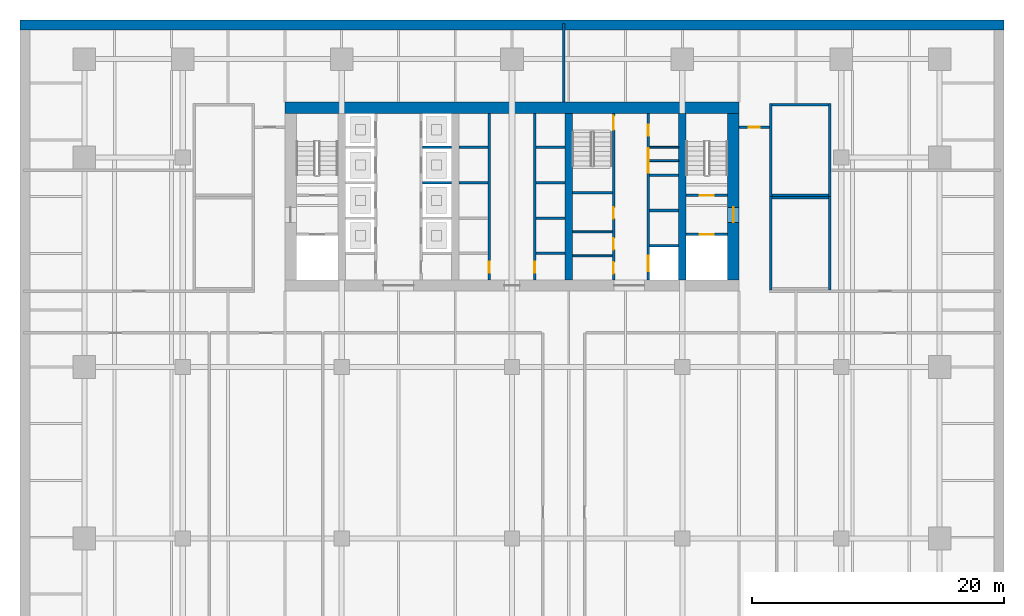
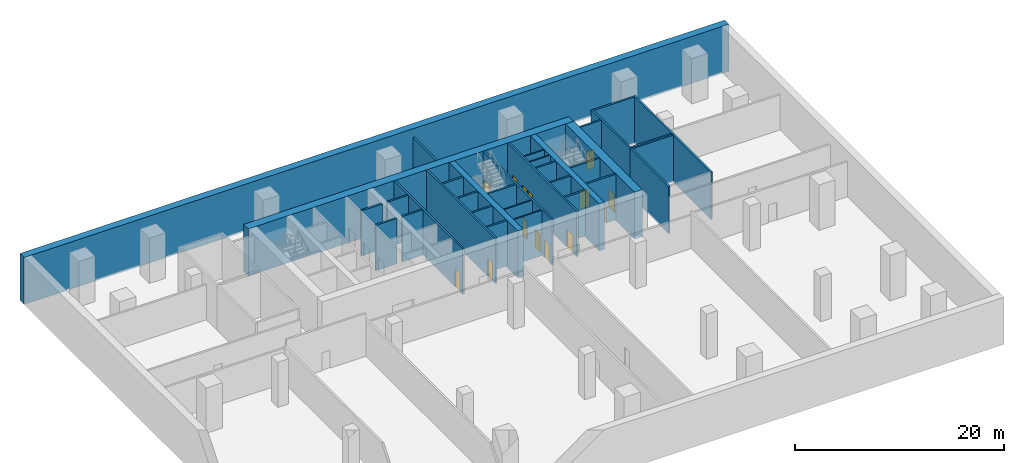
# One storey, part 7 of 11: 36 walls, 14 doors, 14 openings.
"""IFC4 building model written with IfcOpenShell, lengths in metres."""

from ifc_helpers import new_model, si_unit, direction, frame, frame_2d, origin, place, context, subcontext, project, spatial, rectangle, extrude, material, layer, layer_set, type_object, element, fill, save


model = new_model("IFC4")

# Units and contexts
model_context = context("Model", 3, precision=1e-05, world=origin(), true_north=direction((0.0, 1.0)))
body_context = subcontext(model_context, "Body", "Model", "MODEL_VIEW")
ifc_project = project(units=[si_unit("LENGTHUNIT", "METRE"), si_unit("AREAUNIT", "SQUARE_METRE"), si_unit("VOLUMEUNIT", "CUBIC_METRE"), si_unit("PLANEANGLEUNIT", "RADIAN"), si_unit("MASSUNIT", "GRAM", prefix="KILO")], contexts=[model_context])

# Site, building, storey
site_placement = place(None, origin())
site = spatial("IfcSite", under=ifc_project, at=site_placement, CompositionType="ELEMENT")
building_placement = place(site_placement, origin())
building = spatial("IfcBuilding", under=site, at=building_placement, Name="Rattan Terrace Tower", CompositionType="ELEMENT")
storey_placement = place(building_placement, frame((0.0, 0.0, -5.5)))
storey = spatial("IfcBuildingStorey", under=building, at=storey_placement, Name="B1", CompositionType="ELEMENT", Elevation=-5.5)

# Walls
ifc_material_1 = material(Name="Gypsum board partition")
ifc_layer_1 = layer(ifc_material_1, 0.14990234375)
ifc_layer_set_1 = layer_set([ifc_layer_1], Name="Core partition 150")
wall_type_1 = type_object("IfcWallType", Name="Core partition 150", PredefinedType="PARTITIONING", material=ifc_layer_set_1)
for number, where, z_axis, x_axis, name in (
    (1, (4.800048828125, -4.696044921875, 0.0), (0.0, 0.0, 1.0), (1.0, 0.0, 0.0), "Toilet wall"),
    (2, (4.800048828125, -2.7919921875, 0.0), (0.0, 0.0, 1.0), (1.0, 0.0, 0.0), "Toilet wall"),
):
    element("IfcWall", number, at=place(storey_placement, frame(where, z_axis=z_axis, x_axis=x_axis)), inside=storey, type_object=wall_type_1, Name=name, PredefinedType="PARTITIONING", context=body_context, shape_type="SweptSolid", body=[
        extrude(rectangle(XDim=3.14990234375, YDim=0.14990234375, at=frame_2d((1.574951171875, 0.0))), origin(), (0.0, 0.0, 1.0), 5.300048828125),
    ])
for number, where, z_axis, x_axis, name in (
    (3, (10.89990234375, 2.85595703125, 0.0), (0.0, 0.0, 1.0), (1.0, 0.0, 0.0), "Riser room wall"),
    (4, (10.89990234375, 3.912109375, 0.0), (0.0, 0.0, 1.0), (1.0, 0.0, 0.0), "Riser room wall"),
):
    element("IfcWall", number, at=place(storey_placement, frame(where, z_axis=z_axis, x_axis=x_axis)), inside=storey, type_object=wall_type_1, Name=name, PredefinedType="PARTITIONING", context=body_context, shape_type="SweptSolid", body=[
        extrude(rectangle(XDim=2.300048828125, YDim=0.14990234375, at=frame_2d((1.14990234375, 0.0))), origin(), (0.0, 0.0, 1.0), 5.300048828125),
    ])

# Wall, opening, door
ifc_material_2 = material(Name="Gypsum board partition")
ifc_layer_2 = layer(ifc_material_2, 0.199951171875)
ifc_layer_set_2 = layer_set([ifc_layer_2], Name="Core partition 200")
wall_type_2 = type_object("IfcWallType", Name="Core partition 200", PredefinedType="PARTITIONING", material=ifc_layer_set_2)
wall_1_placement = place(storey_placement, frame((13.800048828125, -3.0, 0.0), z_axis=(0.0, 0.0, 1.0), x_axis=(1.0, 0.0, 0.0)))
wall_1 = element("IfcWall", 5, at=wall_1_placement, inside=storey, type_object=wall_type_2, Name="Fire-fighting lobby wall", PredefinedType="PARTITIONING", context=body_context, shape_type="SweptSolid", body=[
    extrude(rectangle(XDim=3.300048828125, YDim=0.199951171875, at=frame_2d((1.64990234375, 0.0))), origin(), (0.0, 0.0, 1.0), 5.300048828125),
])
opening_1_placement = place(wall_1_placement, frame((1.10009765625, 0.0, 0.0)))
opening_1 = element("IfcOpeningElement", 6, at=opening_1_placement, cuts=wall_1, Name="Opening B1-LD-FF2", PredefinedType="OPENING", context=body_context, shape_type="SweptSolid", body=[
    extrude(rectangle(XDim=1.10009765625, YDim=2.10009765625, at=frame_2d((0.550048828125, 1.050048828125))), frame((0.0, 0.110595703125, 0.0), z_axis=(0.0, -1.0, 0.0), x_axis=(1.0, 0.0, 0.0)), (0.0, 0.0, 1.0), 0.220947265625),
])
ifc_material_3 = material(Name="Brushed stainless landing door panel")
door_type_1 = type_object("IfcDoorType", Name="Core lift landing door 1100", OperationType="DOUBLE_DOOR_SLIDING", PredefinedType="DOOR", material=ifc_material_3)
door_1_placement = place(opening_1_placement, origin())
door_1 = element("IfcDoor", 7, at=door_1_placement, inside=storey, type_object=door_type_1, Name="Door B1-LD-FF2", OperationType="DOUBLE_DOOR_SLIDING", OverallHeight=2.10009765625, OverallWidth=1.10009765625, PredefinedType="DOOR", context=body_context, shape_type="SweptSolid", body=[
    extrude(rectangle(XDim=1.10009765625, YDim=2.10009765625, at=frame_2d((0.550048828125, 1.050048828125))), frame((0.0, 0.02490234375, 0.0), z_axis=(0.0, -1.0, 0.0), x_axis=(1.0, 0.0, 0.0)), (0.0, 0.0, 1.0), 0.050048828125),
])
fill(opening_1, door_1)

wall_2_placement = place(storey_placement, frame((13.800048828125, 0.10009765625, 0.0), z_axis=(0.0, 0.0, 1.0), x_axis=(1.0, 0.0, 0.0)))
wall_2 = element("IfcWall", 8, at=wall_2_placement, inside=storey, type_object=wall_type_2, Name="Stair enclosure wall", PredefinedType="PARTITIONING", context=body_context, shape_type="SweptSolid", body=[
    extrude(rectangle(XDim=3.300048828125, YDim=0.199951171875, at=frame_2d((1.64990234375, 0.0))), origin(), (0.0, 0.0, 1.0), 5.300048828125),
])
opening_2_placement = place(wall_2_placement, frame((1.10009765625, 0.0, 0.0)))
opening_2 = element("IfcOpeningElement", 9, at=opening_2_placement, cuts=wall_2, Name="Opening B1-D004", PredefinedType="OPENING", context=body_context, shape_type="SweptSolid", body=[
    extrude(rectangle(XDim=1.10009765625, YDim=2.10009765625, at=frame_2d((0.550048828125, 1.050048828125))), frame((0.0, 0.110595703125, 0.0), z_axis=(0.0, -1.0, 0.0), x_axis=(1.0, 0.0, 0.0)), (0.0, 0.0, 1.0), 0.220947265625),
])
ifc_material_4 = material(Name="Hollow-metal fire door leaf")
door_type_2 = type_object("IfcDoorType", Name="Core stair door 1100", OperationType="NOTDEFINED", PredefinedType="DOOR", material=ifc_material_4)
door_2_placement = place(opening_2_placement, origin())
door_2 = element("IfcDoor", 10, at=door_2_placement, inside=storey, type_object=door_type_2, Name="Door B1-D004", OperationType="SINGLE_SWING_LEFT", OverallHeight=2.10009765625, OverallWidth=1.10009765625, PredefinedType="DOOR", context=body_context, shape_type="SweptSolid", body=[
    extrude(rectangle(XDim=1.10009765625, YDim=2.10009765625, at=frame_2d((0.550048828125, 1.050048828125))), frame((0.0, 0.02490234375, 0.0), z_axis=(0.0, -1.0, 0.0), x_axis=(1.0, 0.0, 0.0)), (0.0, 0.0, 1.0), 0.050048828125),
])
fill(opening_2, door_2)

# Wall, openings, doors
wall_3_placement = place(storey_placement, frame((8.050048828125, -6.60009765625, 0.0), z_axis=(0.0, 0.0, 1.0), x_axis=(0.0, 1.0, 0.0)))
wall_3 = element("IfcWall", 11, at=wall_3_placement, inside=storey, type_object=wall_type_2, Name="Lobby wall west", PredefinedType="PARTITIONING", context=body_context, shape_type="SweptSolid", body=[
    extrude(rectangle(XDim=13.2001953125, YDim=0.199951171875, at=frame_2d((6.60009765625, 0.0))), origin(), (0.0, 0.0, 1.0), 5.300048828125),
])
opening_3_placement = place(wall_3_placement, frame((0.501953125, 0.0, 0.0)))
opening_3 = element("IfcOpeningElement", 12, at=opening_3_placement, cuts=wall_3, Name="Opening B1-D011", PredefinedType="OPENING", context=body_context, shape_type="SweptSolid", body=[
    extrude(rectangle(XDim=0.89990234375, YDim=2.10009765625, at=frame_2d((0.449951171875, 1.050048828125))), frame((0.0, 0.110595703125, 0.0), z_axis=(0.0, -1.0, 0.0), x_axis=(1.0, 0.0, 0.0)), (0.0, 0.0, 1.0), 0.220947265625),
])
opening_4_placement = place(wall_3_placement, frame((2.406005859375, 0.0, 0.0)))
opening_4 = element("IfcOpeningElement", 13, at=opening_4_placement, cuts=wall_3, Name="Opening B1-D012", PredefinedType="OPENING", context=body_context, shape_type="SweptSolid", body=[
    extrude(rectangle(XDim=0.89990234375, YDim=2.10009765625, at=frame_2d((0.449951171875, 1.050048828125))), frame((0.0, 0.110595703125, 0.0), z_axis=(0.0, -1.0, 0.0), x_axis=(1.0, 0.0, 0.0)), (0.0, 0.0, 1.0), 0.220947265625),
])
opening_5_placement = place(wall_3_placement, frame((4.85400390625, 0.0, 0.0)))
opening_5 = element("IfcOpeningElement", 14, at=opening_5_placement, cuts=wall_3, Name="Opening B1-D013", PredefinedType="OPENING", context=body_context, shape_type="SweptSolid", body=[
    extrude(rectangle(XDim=0.89990234375, YDim=2.10009765625, at=frame_2d((0.449951171875, 1.050048828125))), frame((0.0, 0.110595703125, 0.0), z_axis=(0.0, -1.0, 0.0), x_axis=(1.0, 0.0, 0.0)), (0.0, 0.0, 1.0), 0.220947265625),
])
opening_6_placement = place(wall_3_placement, frame((11.89990234375, 0.0, 0.0)))
opening_6 = element("IfcOpeningElement", 15, at=opening_6_placement, cuts=wall_3, Name="Opening B1-D014", PredefinedType="OPENING", context=body_context, shape_type="SweptSolid", body=[
    extrude(rectangle(XDim=1.10009765625, YDim=2.10009765625, at=frame_2d((0.550048828125, 1.050048828125))), frame((0.0, 0.110595703125, 0.0), z_axis=(0.0, -1.0, 0.0), x_axis=(1.0, 0.0, 0.0)), (0.0, 0.0, 1.0), 0.220947265625),
])
door_3_placement = place(opening_6_placement, origin())
door_3 = element("IfcDoor", 16, at=door_3_placement, inside=storey, type_object=door_type_2, Name="Door B1-D014", OperationType="SINGLE_SWING_RIGHT", OverallHeight=2.10009765625, OverallWidth=1.10009765625, PredefinedType="DOOR", context=body_context, shape_type="SweptSolid", body=[
    extrude(rectangle(XDim=1.10009765625, YDim=2.10009765625, at=frame_2d((0.550048828125, 1.050048828125))), frame((0.0, 0.02490234375, 0.0), z_axis=(0.0, -1.0, 0.0), x_axis=(1.0, 0.0, 0.0)), (0.0, 0.0, 1.0), 0.050048828125),
])
fill(opening_6, door_3)
ifc_material_5 = material(Name="Hollow-metal fire door leaf")
door_type_3 = type_object("IfcDoorType", Name="Core toilet door 900", OperationType="NOTDEFINED", PredefinedType="DOOR", material=ifc_material_5)
door_4_placement = place(opening_3_placement, origin())
door_4 = element("IfcDoor", 17, at=door_4_placement, inside=storey, type_object=door_type_3, Name="Door B1-D011", OperationType="SINGLE_SWING_LEFT", OverallHeight=2.10009765625, OverallWidth=0.89990234375, PredefinedType="DOOR", context=body_context, shape_type="SweptSolid", body=[
    extrude(rectangle(XDim=0.89990234375, YDim=2.10009765625, at=frame_2d((0.449951171875, 1.050048828125))), frame((0.0, 0.02490234375, 0.0), z_axis=(0.0, -1.0, 0.0), x_axis=(1.0, 0.0, 0.0)), (0.0, 0.0, 1.0), 0.050048828125),
])
fill(opening_3, door_4)
door_5_placement = place(opening_4_placement, origin())
door_5 = element("IfcDoor", 18, at=door_5_placement, inside=storey, type_object=door_type_3, Name="Door B1-D012", OperationType="SINGLE_SWING_RIGHT", OverallHeight=2.10009765625, OverallWidth=0.89990234375, PredefinedType="DOOR", context=body_context, shape_type="SweptSolid", body=[
    extrude(rectangle(XDim=0.89990234375, YDim=2.10009765625, at=frame_2d((0.449951171875, 1.050048828125))), frame((0.0, 0.02490234375, 0.0), z_axis=(0.0, -1.0, 0.0), x_axis=(1.0, 0.0, 0.0)), (0.0, 0.0, 1.0), 0.050048828125),
])
fill(opening_4, door_5)
door_6_placement = place(opening_5_placement, origin())
door_6 = element("IfcDoor", 19, at=door_6_placement, inside=storey, type_object=door_type_3, Name="Door B1-D013", OperationType="SINGLE_SWING_LEFT", OverallHeight=2.10009765625, OverallWidth=0.89990234375, PredefinedType="DOOR", context=body_context, shape_type="SweptSolid", body=[
    extrude(rectangle(XDim=0.89990234375, YDim=2.10009765625, at=frame_2d((0.449951171875, 1.050048828125))), frame((0.0, 0.02490234375, 0.0), z_axis=(0.0, -1.0, 0.0), x_axis=(1.0, 0.0, 0.0)), (0.0, 0.0, 1.0), 0.050048828125),
])
fill(opening_5, door_6)

# Walls
wall_4_placement = place(storey_placement, frame((4.800048828125, 0.300048828125, 0.0), z_axis=(0.0, 0.0, 1.0), x_axis=(1.0, 0.0, 0.0)))
element("IfcWall", 20, at=wall_4_placement, inside=storey, type_object=wall_type_2, Name="Stair enclosure wall", PredefinedType="PARTITIONING", context=body_context, shape_type="SweptSolid", body=[
    extrude(rectangle(XDim=3.14990234375, YDim=0.199951171875, at=frame_2d((1.574951171875, 0.0))), origin(), (0.0, 0.0, 1.0), 5.300048828125),
])
ifc_material_6 = material(Name="Concrete C70/85", Category="concrete")
ifc_layer_3 = layer(ifc_material_6, 0.89990234375)
ifc_layer_set_3 = layer_set([ifc_layer_3], Name="Core ring wall 900 C70/85")
wall_type_3 = type_object("IfcWallType", Name="Core ring wall 900 C70/85", PredefinedType="SHEAR", material=ifc_layer_set_3)
wall_5_placement = place(storey_placement, frame((-18.0, 7.050048828125, -0.199951171875), z_axis=(0.0, 0.0, 1.0), x_axis=(1.0, 0.0, 0.0)))
element("IfcWall", 21, at=wall_5_placement, inside=storey, type_object=wall_type_3, Name="Rear core wall north", PredefinedType="SHEAR", context=body_context, shape_type="SweptSolid", body=[
    extrude(rectangle(XDim=36.0, YDim=0.89990234375, at=frame_2d((18.0, 0.0))), origin(), (0.0, 0.0, 1.0), 5.5),
])

# Wall, opening, door
wall_6_placement = place(storey_placement, frame((17.550048828125, -6.60009765625, -0.199951171875), z_axis=(0.0, 0.0, 1.0), x_axis=(0.0, 1.0, 0.0)))
wall_6 = element("IfcWall", 22, at=wall_6_placement, inside=storey, type_object=wall_type_3, Name="Rear core wall east", PredefinedType="SHEAR", context=body_context, shape_type="SweptSolid", body=[
    extrude(rectangle(XDim=13.2001953125, YDim=0.89990234375, at=frame_2d((6.60009765625, 0.0))), origin(), (0.0, 0.0, 1.0), 5.5),
])
opening_7_placement = place(wall_6_placement, frame((4.550048828125, 0.0, 0.199951171875)))
opening_7 = element("IfcOpeningElement", 23, at=opening_7_placement, cuts=wall_6, Name="Opening B1-D003", PredefinedType="OPENING", context=body_context, shape_type="SweptSolid", body=[
    extrude(rectangle(XDim=1.199951171875, YDim=2.10009765625, at=frame_2d((0.60009765625, 1.050048828125))), frame((0.0, 0.46044921875, 0.0), z_axis=(0.0, -1.0, 0.0), x_axis=(1.0, 0.0, 0.0)), (0.0, 0.0, 1.0), 0.9208984375),
])
ifc_material_7 = material(Name="Hollow-metal fire door leaf")
door_type_4 = type_object("IfcDoorType", Name="Core fire-fighting lobby door 1200", OperationType="NOTDEFINED", PredefinedType="DOOR", material=ifc_material_7)
door_7_placement = place(opening_7_placement, origin())
door_7 = element("IfcDoor", 24, at=door_7_placement, inside=storey, type_object=door_type_4, Name="Door B1-D003", OperationType="SINGLE_SWING_RIGHT", OverallHeight=2.10009765625, OverallWidth=1.199951171875, PredefinedType="DOOR", context=body_context, shape_type="SweptSolid", body=[
    extrude(rectangle(XDim=1.199951171875, YDim=2.10009765625, at=frame_2d((0.60009765625, 1.050048828125))), frame((0.0, 0.02490234375, 0.0), z_axis=(0.0, -1.0, 0.0), x_axis=(1.0, 0.0, 0.0)), (0.0, 0.0, 1.0), 0.050048828125),
])
fill(opening_7, door_7)

# Walls
ifc_material_8 = material(Name="Concrete C70/85", Category="concrete")
ifc_layer_4 = layer(ifc_material_8, 0.60009765625)
ifc_layer_set_4 = layer_set([ifc_layer_4], Name="Core spine wall 600 C70/85")
wall_type_4 = type_object("IfcWallType", Name="Core spine wall 600 C70/85", PredefinedType="SHEAR", material=ifc_layer_set_4)
for number, where, z_axis, x_axis, name in (
    (25, (4.5, -6.60009765625, -0.199951171875), (0.0, 0.0, 1.0), (0.0, 1.0, 0.0), "Core spine wall 3"),
    (26, (13.5, -6.60009765625, -0.199951171875), (0.0, 0.0, 1.0), (0.0, 1.0, 0.0), "Core spine wall 4"),
):
    element("IfcWall", number, at=place(storey_placement, frame(where, z_axis=z_axis, x_axis=x_axis)), inside=storey, type_object=wall_type_4, Name=name, PredefinedType="SHEAR", context=body_context, shape_type="SweptSolid", body=[
        extrude(rectangle(XDim=13.2001953125, YDim=0.60009765625, at=frame_2d((6.60009765625, 0.0))), origin(), (0.0, 0.0, 1.0), 5.5),
    ])

# Wall, opening, door
ifc_material_9 = material(Name="Concrete block wall, plastered", Category="concrete")
ifc_layer_5 = layer(ifc_material_9, 0.199951171875)
ifc_layer_set_5 = layer_set([ifc_layer_5], Name="Floors Plant Wall 200")
wall_type_5 = type_object("IfcWallType", Name="Floors Plant Wall 200", PredefinedType="PARTITIONING", material=ifc_layer_set_5)
wall_7_placement = place(storey_placement, frame((18.0, 5.5, 0.0), z_axis=(0.0, 0.0, 1.0), x_axis=(1.0, 0.0, 0.0)))
wall_7 = element("IfcWall", 27, at=wall_7_placement, inside=storey, type_object=wall_type_5, Name="pt-B1-011", PredefinedType="PARTITIONING", context=body_context, shape_type="SweptSolid", body=[
    extrude(rectangle(XDim=2.39990234375, YDim=0.199951171875, at=frame_2d((1.199951171875, 0.0))), origin(), (0.0, 0.0, 1.0), 5.300048828125),
])
opening_8_placement = place(wall_7_placement, frame((0.75, 0.0, 0.0)))
opening_8 = element("IfcOpeningElement", 28, at=opening_8_placement, cuts=wall_7, Name="Opening B1-D108", PredefinedType="OPENING", context=body_context, shape_type="SweptSolid", body=[
    extrude(rectangle(XDim=0.89990234375, YDim=2.10009765625, at=frame_2d((0.449951171875, 1.050048828125))), frame((0.0, 0.110595703125, 0.0), z_axis=(0.0, -1.0, 0.0), x_axis=(1.0, 0.0, 0.0)), (0.0, 0.0, 1.0), 0.220947265625),
])
ifc_material_10 = material(Name="Steel fire door set", Category="steel")
door_type_5 = type_object("IfcDoorType", Name="Floors Fire Door FD60 900x2100", OperationType="NOTDEFINED", PredefinedType="DOOR", material=ifc_material_10)
door_8_placement = place(opening_8_placement, origin())
door_8 = element("IfcDoor", 29, at=door_8_placement, inside=storey, type_object=door_type_5, Name="d-B1-108", OperationType="SINGLE_SWING_LEFT", OverallHeight=2.10009765625, OverallWidth=0.89990234375, PredefinedType="DOOR", context=body_context, shape_type="SweptSolid", body=[
    extrude(rectangle(XDim=0.89990234375, YDim=2.10009765625, at=frame_2d((0.449951171875, 1.050048828125))), frame((0.0, 0.02490234375, 0.0), z_axis=(0.0, -1.0, 0.0), x_axis=(1.0, 0.0, 0.0)), (0.0, 0.0, 1.0), 0.050048828125),
])
fill(opening_8, door_8)

# Walls
wall_8_placement = place(storey_placement, frame((4.10009765625, 13.739990234375, 0.0), z_axis=(0.0, 0.0, 1.0), x_axis=(0.0, -1.0, 0.0)))
element("IfcWall", 30, at=wall_8_placement, inside=storey, type_object=wall_type_5, Name="pt-B1-016", PredefinedType="PARTITIONING", context=body_context, shape_type="SweptSolid", body=[
    extrude(rectangle(XDim=6.239990234375, YDim=0.199951171875, at=frame_2d((3.1201171875, 0.0))), origin(), (0.0, 0.0, 1.0), 4.300048828125),
])
ifc_material_11 = material(Name="Concrete C40/50", Category="concrete")
ifc_layer_6 = layer(ifc_material_11, 0.800048828125)
ifc_layer_set_6 = layer_set([ifc_layer_6], Name="Frame basement wall 800")
wall_type_6 = type_object("IfcWallType", Name="Frame basement wall 800", PredefinedType="SOLIDWALL", material=ifc_layer_set_6)
wall_9_placement = place(storey_placement, frame((-39.0, 13.60009765625, -0.199951171875), z_axis=(0.0, 0.0, 1.0), x_axis=(1.0, 0.0, 0.0)))
element("IfcWall", 31, at=wall_9_placement, inside=storey, type_object=wall_type_6, Name="Basement wall", PredefinedType="SOLIDWALL", context=body_context, shape_type="SweptSolid", body=[
    extrude(rectangle(XDim=78.0, YDim=0.800048828125, at=frame_2d((39.0, 0.0))), origin(), (0.0, 0.0, 1.0), 5.5),
])
ifc_material_12 = material(Name="Gypsum shaft wall system")
ifc_layer_7 = layer(ifc_material_12, 0.199951171875)
ifc_layer_set_7 = layer_set([ifc_layer_7], Name="Lift shaft wall 200")
wall_type_7 = type_object("IfcWallType", Name="Lift shaft wall 200", PredefinedType="PARTITIONING", material=ifc_layer_set_7)
for number, where, z_axis, x_axis, name in (
    (32, (-7.10009765625, 1.10009765625, 0.0), (0.0, 0.0, 1.0), (1.0, 0.0, 0.0), "Lift shaft wall"),
    (33, (-7.10009765625, 3.89990234375, 0.0), (0.0, 0.0, 1.0), (1.0, 0.0, 0.0), "Lift shaft wall"),
):
    element("IfcWall", number, at=place(storey_placement, frame(where, z_axis=z_axis, x_axis=x_axis)), inside=storey, type_object=wall_type_7, Name=name, PredefinedType="PARTITIONING", context=body_context, shape_type="SweptSolid", body=[
        extrude(rectangle(XDim=2.300048828125, YDim=0.199951171875, at=frame_2d((1.14990234375, 0.0))), origin(), (0.0, 0.0, 1.0), 5.300048828125),
    ])

# Wall, opening, door
wall_10_placement = place(storey_placement, frame((-1.800048828125, -6.60009765625, 0.0), z_axis=(0.0, 0.0, 1.0), x_axis=(0.0, 1.0, 0.0)))
wall_10 = element("IfcWall", 34, at=wall_10_placement, inside=storey, type_object=wall_type_7, Name="Lift shaft front wall", PredefinedType="PARTITIONING", context=body_context, shape_type="SweptSolid", body=[
    extrude(rectangle(XDim=13.2001953125, YDim=0.199951171875, at=frame_2d((6.60009765625, 0.0))), origin(), (0.0, 0.0, 1.0), 5.300048828125),
])
opening_9_placement = place(wall_10_placement, frame((0.550048828125, 0.0, 0.0)))
opening_9 = element("IfcOpeningElement", 35, at=opening_9_placement, cuts=wall_10, Name="Opening B1-D008", PredefinedType="OPENING", context=body_context, shape_type="SweptSolid", body=[
    extrude(rectangle(XDim=0.89990234375, YDim=2.10009765625, at=frame_2d((0.449951171875, 1.050048828125))), frame((0.0, 0.110595703125, 0.0), z_axis=(0.0, -1.0, 0.0), x_axis=(1.0, 0.0, 0.0)), (0.0, 0.0, 1.0), 0.220947265625),
])
ifc_material_13 = material(Name="Hollow-metal fire door leaf")
door_type_6 = type_object("IfcDoorType", Name="Core riser door 900", OperationType="NOTDEFINED", PredefinedType="DOOR", material=ifc_material_13)
door_9_placement = place(opening_9_placement, origin())
door_9 = element("IfcDoor", 36, at=door_9_placement, inside=storey, type_object=door_type_6, Name="Door B1-D008", OperationType="SINGLE_SWING_RIGHT", OverallHeight=2.10009765625, OverallWidth=0.89990234375, PredefinedType="DOOR", context=body_context, shape_type="SweptSolid", body=[
    extrude(rectangle(XDim=0.89990234375, YDim=2.10009765625, at=frame_2d((0.449951171875, 1.050048828125))), frame((0.0, 0.02490234375, 0.0), z_axis=(0.0, -1.0, 0.0), x_axis=(1.0, 0.0, 0.0)), (0.0, 0.0, 1.0), 0.050048828125),
])
fill(opening_9, door_9)

wall_11_placement = place(storey_placement, frame((1.800048828125, -6.60009765625, 0.0), z_axis=(0.0, 0.0, 1.0), x_axis=(0.0, 1.0, 0.0)))
wall_11 = element("IfcWall", 37, at=wall_11_placement, inside=storey, type_object=wall_type_7, Name="Lift shaft front wall", PredefinedType="PARTITIONING", context=body_context, shape_type="SweptSolid", body=[
    extrude(rectangle(XDim=13.2001953125, YDim=0.199951171875, at=frame_2d((6.60009765625, 0.0))), origin(), (0.0, 0.0, 1.0), 5.300048828125),
])
opening_10_placement = place(wall_11_placement, frame((0.550048828125, 0.0, 0.0)))
opening_10 = element("IfcOpeningElement", 38, at=opening_10_placement, cuts=wall_11, Name="Opening B1-D009", PredefinedType="OPENING", context=body_context, shape_type="SweptSolid", body=[
    extrude(rectangle(XDim=0.89990234375, YDim=2.10009765625, at=frame_2d((0.449951171875, 1.050048828125))), frame((0.0, 0.110595703125, 0.0), z_axis=(0.0, -1.0, 0.0), x_axis=(1.0, 0.0, 0.0)), (0.0, 0.0, 1.0), 0.220947265625),
])
door_10_placement = place(opening_10_placement, origin())
door_10 = element("IfcDoor", 39, at=door_10_placement, inside=storey, type_object=door_type_6, Name="Door B1-D009", OperationType="SINGLE_SWING_LEFT", OverallHeight=2.10009765625, OverallWidth=0.89990234375, PredefinedType="DOOR", context=body_context, shape_type="SweptSolid", body=[
    extrude(rectangle(XDim=0.89990234375, YDim=2.10009765625, at=frame_2d((0.449951171875, 1.050048828125))), frame((0.0, 0.02490234375, 0.0), z_axis=(0.0, -1.0, 0.0), x_axis=(1.0, 0.0, 0.0)), (0.0, 0.0, 1.0), 0.050048828125),
])
fill(opening_10, door_10)

# Walls
for number, where, z_axis, x_axis, name in (
    (40, (-4.199951171875, 1.10009765625, 0.0), (0.0, 0.0, 1.0), (1.0, 0.0, 0.0), "Lift shaft wall"),
    (41, (-4.199951171875, 3.89990234375, 0.0), (0.0, 0.0, 1.0), (1.0, 0.0, 0.0), "Lift shaft wall"),
    (42, (1.89990234375, -1.699951171875, 0.0), (0.0, 0.0, 1.0), (1.0, 0.0, 0.0), "Lift shaft wall"),
    (43, (1.89990234375, 1.10009765625, 0.0), (0.0, 0.0, 1.0), (1.0, 0.0, 0.0), "Lift shaft wall"),
    (44, (1.89990234375, 3.89990234375, 0.0), (0.0, 0.0, 1.0), (1.0, 0.0, 0.0), "Lift shaft wall"),
    (45, (1.89990234375, -4.5, 0.0), (0.0, 0.0, 1.0), (1.0, 0.0, 0.0), "Lift shaft wall"),
):
    element("IfcWall", number, at=place(storey_placement, frame(where, z_axis=z_axis, x_axis=x_axis)), inside=storey, type_object=wall_type_7, Name=name, PredefinedType="PARTITIONING", context=body_context, shape_type="SweptSolid", body=[
        extrude(rectangle(XDim=2.300048828125, YDim=0.199951171875, at=frame_2d((1.14990234375, 0.0))), origin(), (0.0, 0.0, 1.0), 5.300048828125),
    ])

# Wall, openings, doors
wall_12_placement = place(storey_placement, frame((10.800048828125, -6.60009765625, 0.0), z_axis=(0.0, 0.0, 1.0), x_axis=(0.0, 1.0, 0.0)))
wall_12 = element("IfcWall", 46, at=wall_12_placement, inside=storey, type_object=wall_type_7, Name="Lift shaft front wall", PredefinedType="PARTITIONING", context=body_context, shape_type="SweptSolid", body=[
    extrude(rectangle(XDim=13.2001953125, YDim=0.199951171875, at=frame_2d((6.60009765625, 0.0))), origin(), (0.0, 0.0, 1.0), 5.300048828125),
])
opening_11_placement = place(wall_12_placement, frame((0.699951171875, 0.0, 0.0)))
opening_11 = element("IfcOpeningElement", 47, at=opening_11_placement, cuts=wall_12, Name="Opening B1-LD-SV1", PredefinedType="OPENING", context=body_context, shape_type="SweptSolid", body=[
    extrude(rectangle(XDim=1.199951171875, YDim=2.10009765625, at=frame_2d((0.60009765625, 1.050048828125))), frame((0.0, 0.110595703125, 0.0), z_axis=(0.0, -1.0, 0.0), x_axis=(1.0, 0.0, 0.0)), (0.0, 0.0, 1.0), 0.220947265625),
])
opening_12_placement = place(wall_12_placement, frame((8.47802734375, 0.0, 0.0)))
opening_12 = element("IfcOpeningElement", 48, at=opening_12_placement, cuts=wall_12, Name="Opening B1-D016", PredefinedType="OPENING", context=body_context, shape_type="SweptSolid", body=[
    extrude(rectangle(XDim=0.89990234375, YDim=2.10009765625, at=frame_2d((0.449951171875, 1.050048828125))), frame((0.0, 0.110595703125, 0.0), z_axis=(0.0, -1.0, 0.0), x_axis=(1.0, 0.0, 0.0)), (0.0, 0.0, 1.0), 0.220947265625),
])
opening_13_placement = place(wall_12_placement, frame((9.533935546875, 0.0, 0.0)))
opening_13 = element("IfcOpeningElement", 49, at=opening_13_placement, cuts=wall_12, Name="Opening B1-D017", PredefinedType="OPENING", context=body_context, shape_type="SweptSolid", body=[
    extrude(rectangle(XDim=0.89990234375, YDim=2.10009765625, at=frame_2d((0.449951171875, 1.050048828125))), frame((0.0, 0.110595703125, 0.0), z_axis=(0.0, -1.0, 0.0), x_axis=(1.0, 0.0, 0.0)), (0.0, 0.0, 1.0), 0.220947265625),
])
opening_14_placement = place(wall_12_placement, frame((11.406005859375, 0.0, 0.0)))
opening_14 = element("IfcOpeningElement", 50, at=opening_14_placement, cuts=wall_12, Name="Opening B1-D018", PredefinedType="OPENING", context=body_context, shape_type="SweptSolid", body=[
    extrude(rectangle(XDim=0.89990234375, YDim=2.10009765625, at=frame_2d((0.449951171875, 1.050048828125))), frame((0.0, 0.110595703125, 0.0), z_axis=(0.0, -1.0, 0.0), x_axis=(1.0, 0.0, 0.0)), (0.0, 0.0, 1.0), 0.220947265625),
])
ifc_material_14 = material(Name="Brushed stainless landing door panel")
door_type_7 = type_object("IfcDoorType", Name="Core lift landing door 1200", OperationType="DOUBLE_DOOR_SLIDING", PredefinedType="DOOR", material=ifc_material_14)
door_11_placement = place(opening_11_placement, origin())
door_11 = element("IfcDoor", 51, at=door_11_placement, inside=storey, type_object=door_type_7, Name="Door B1-LD-SV1", OperationType="DOUBLE_DOOR_SLIDING", OverallHeight=2.10009765625, OverallWidth=1.199951171875, PredefinedType="DOOR", context=body_context, shape_type="SweptSolid", body=[
    extrude(rectangle(XDim=1.199951171875, YDim=2.10009765625, at=frame_2d((0.60009765625, 1.050048828125))), frame((0.0, 0.02490234375, 0.0), z_axis=(0.0, -1.0, 0.0), x_axis=(1.0, 0.0, 0.0)), (0.0, 0.0, 1.0), 0.050048828125),
])
fill(opening_11, door_11)
door_12_placement = place(opening_12_placement, origin())
door_12 = element("IfcDoor", 52, at=door_12_placement, inside=storey, type_object=door_type_6, Name="Door B1-D016", OperationType="SINGLE_SWING_LEFT", OverallHeight=2.10009765625, OverallWidth=0.89990234375, PredefinedType="DOOR", context=body_context, shape_type="SweptSolid", body=[
    extrude(rectangle(XDim=0.89990234375, YDim=2.10009765625, at=frame_2d((0.449951171875, 1.050048828125))), frame((0.0, 0.02490234375, 0.0), z_axis=(0.0, -1.0, 0.0), x_axis=(1.0, 0.0, 0.0)), (0.0, 0.0, 1.0), 0.050048828125),
])
fill(opening_12, door_12)
door_13_placement = place(opening_13_placement, origin())
door_13 = element("IfcDoor", 53, at=door_13_placement, inside=storey, type_object=door_type_6, Name="Door B1-D017", OperationType="SINGLE_SWING_RIGHT", OverallHeight=2.10009765625, OverallWidth=0.89990234375, PredefinedType="DOOR", context=body_context, shape_type="SweptSolid", body=[
    extrude(rectangle(XDim=0.89990234375, YDim=2.10009765625, at=frame_2d((0.449951171875, 1.050048828125))), frame((0.0, 0.02490234375, 0.0), z_axis=(0.0, -1.0, 0.0), x_axis=(1.0, 0.0, 0.0)), (0.0, 0.0, 1.0), 0.050048828125),
])
fill(opening_13, door_13)
ifc_material_15 = material(Name="Hollow-metal fire door leaf")
door_type_8 = type_object("IfcDoorType", Name="Core service room door 900", OperationType="NOTDEFINED", PredefinedType="DOOR", material=ifc_material_15)
door_14_placement = place(opening_14_placement, origin())
door_14 = element("IfcDoor", 54, at=door_14_placement, inside=storey, type_object=door_type_8, Name="Door B1-D018", OperationType="SINGLE_SWING_LEFT", OverallHeight=2.10009765625, OverallWidth=0.89990234375, PredefinedType="DOOR", context=body_context, shape_type="SweptSolid", body=[
    extrude(rectangle(XDim=0.89990234375, YDim=2.10009765625, at=frame_2d((0.449951171875, 1.050048828125))), frame((0.0, 0.02490234375, 0.0), z_axis=(0.0, -1.0, 0.0), x_axis=(1.0, 0.0, 0.0)), (0.0, 0.0, 1.0), 0.050048828125),
])
fill(opening_14, door_14)

# Walls
for number, where, z_axis, x_axis, name in (
    (55, (10.89990234375, -3.89990234375, 0.0), (0.0, 0.0, 1.0), (1.0, 0.0, 0.0), "Lift shaft wall"),
    (56, (10.89990234375, -1.10009765625, 0.0), (0.0, 0.0, 1.0), (1.0, 0.0, 0.0), "Lift shaft wall"),
    (57, (10.89990234375, 1.699951171875, 0.0), (0.0, 0.0, 1.0), (1.0, 0.0, 0.0), "Lift shaft wall"),
):
    element("IfcWall", number, at=place(storey_placement, frame(where, z_axis=z_axis, x_axis=x_axis)), inside=storey, type_object=wall_type_7, Name=name, PredefinedType="PARTITIONING", context=body_context, shape_type="SweptSolid", body=[
        extrude(rectangle(XDim=2.300048828125, YDim=0.199951171875, at=frame_2d((1.14990234375, 0.0))), origin(), (0.0, 0.0, 1.0), 5.300048828125),
    ])
ifc_material_16 = material(Name="Concrete C40/50", Category="concrete")
ifc_layer_8 = layer(ifc_material_16, 0.199951171875)
ifc_layer_set_8 = layer_set([ifc_layer_8], Name="Podium exit stair shaft wall 200")
wall_type_8 = type_object("IfcWallType", Name="Podium exit stair shaft wall 200", PredefinedType="SHEAR", material=ifc_layer_set_8)
for number, where, z_axis, x_axis, name in (
    (58, (20.5, -7.39990234375, -0.199951171875), (0.0, 0.0, 1.0), (0.0, 1.0, 0.0), "B1 stair S6 shaft wall"),
    (59, (25.199951171875, -7.39990234375, -0.199951171875), (0.0, 0.0, 1.0), (0.0, 1.0, 0.0), "B1 stair S6 shaft wall"),
):
    element("IfcWall", number, at=place(storey_placement, frame(where, z_axis=z_axis, x_axis=x_axis)), inside=storey, type_object=wall_type_8, Name=name, PredefinedType="SHEAR", context=body_context, shape_type="SweptSolid", body=[
        extrude(rectangle(XDim=7.39990234375, YDim=0.199951171875, at=frame_2d((3.699951171875, 0.0))), origin(), (0.0, 0.0, 1.0), 5.5),
    ])
wall_13_placement = place(storey_placement, frame((20.60009765625, -0.10009765625, -0.199951171875), z_axis=(0.0, 0.0, 1.0), x_axis=(1.0, 0.0, 0.0)))
element("IfcWall", 60, at=wall_13_placement, inside=storey, type_object=wall_type_8, Name="B1 stair S6 shaft wall", PredefinedType="SHEAR", context=body_context, shape_type="SweptSolid", body=[
    extrude(rectangle(XDim=4.5, YDim=0.199951171875, at=frame_2d((2.25, 0.0))), origin(), (0.0, 0.0, 1.0), 5.5),
])
for number, where, z_axis, x_axis, name in (
    (61, (20.5, 0.0, -0.199951171875), (0.0, 0.0, 1.0), (0.0, 1.0, 0.0), "B1 stair S7 shaft wall"),
    (62, (25.199951171875, 0.0, -0.199951171875), (0.0, 0.0, 1.0), (0.0, 1.0, 0.0), "B1 stair S7 shaft wall"),
):
    element("IfcWall", number, at=place(storey_placement, frame(where, z_axis=z_axis, x_axis=x_axis)), inside=storey, type_object=wall_type_8, Name=name, PredefinedType="SHEAR", context=body_context, shape_type="SweptSolid", body=[
        extrude(rectangle(XDim=7.39990234375, YDim=0.199951171875, at=frame_2d((3.699951171875, 0.0))), origin(), (0.0, 0.0, 1.0), 5.5),
    ])
for number, where, z_axis, x_axis, name in (
    (63, (20.60009765625, 7.300048828125, -0.199951171875), (0.0, 0.0, 1.0), (1.0, 0.0, 0.0), "B1 stair S7 shaft wall"),
    (64, (20.60009765625, 0.10009765625, -0.199951171875), (0.0, 0.0, 1.0), (1.0, 0.0, 0.0), "B1 stair S7 shaft wall"),
):
    element("IfcWall", number, at=place(storey_placement, frame(where, z_axis=z_axis, x_axis=x_axis)), inside=storey, type_object=wall_type_8, Name=name, PredefinedType="SHEAR", context=body_context, shape_type="SweptSolid", body=[
        extrude(rectangle(XDim=4.5, YDim=0.199951171875, at=frame_2d((2.25, 0.0))), origin(), (0.0, 0.0, 1.0), 5.5),
    ])

save(model, "model.ifc")
